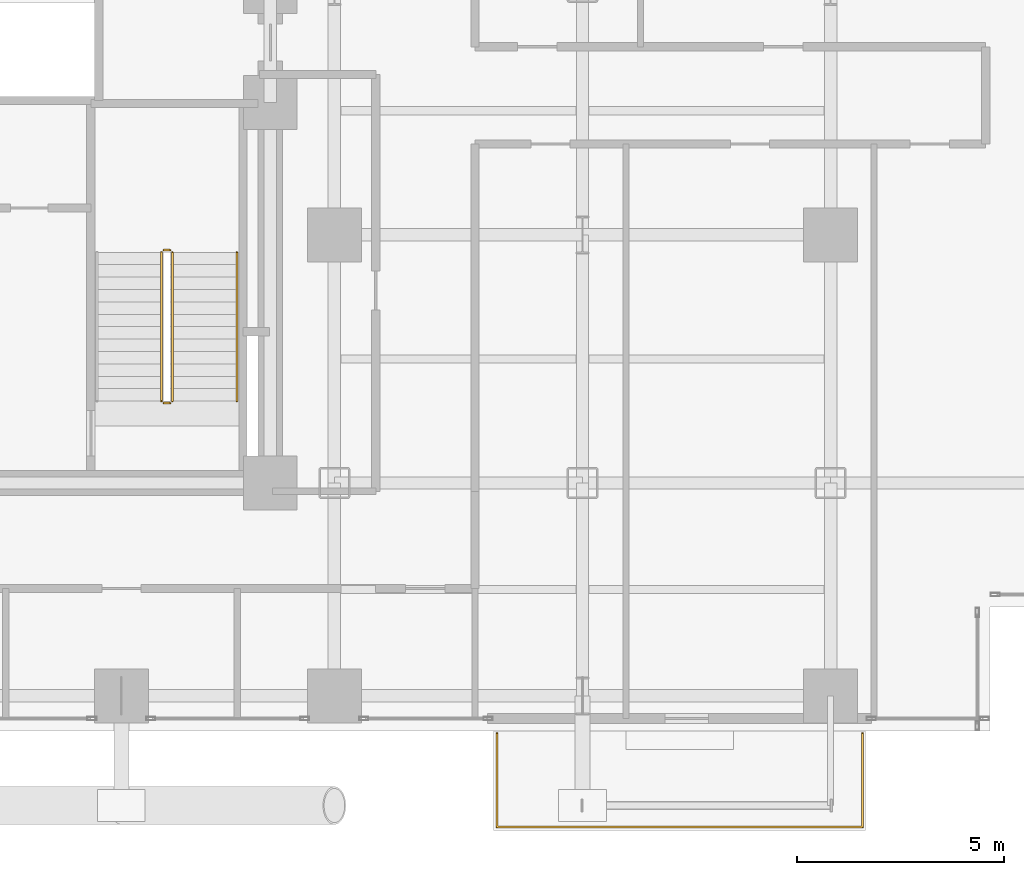
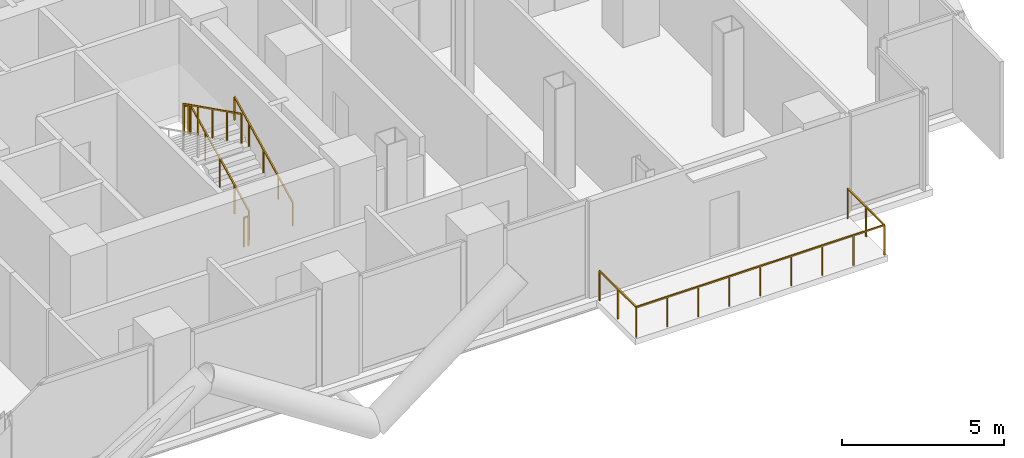
# One storey, part 26 of 27: 6 railings.
"""IFC4 building model written with IfcOpenShell, lengths in metres."""

import ifcopenshell
import ifcopenshell.guid

model = None  # the IFC model being written
_history = None  # IfcOwnerHistory: only IFC2X3 demands one
_inside = {}  # id of a spatial element -> (the spatial element, [elements in it])
_under = {}  # id of a project, library or spatial element -> (it, [spatial elements below it])
_declared = {}  # id of a project -> (the project, [libraries it declares])
_typed = {}  # id of a type object -> (the type object, [elements of that type])
_made_of = {}  # id of a material, layer set ... -> (it, [elements and type objects made of it])


def new_model(schema):
    """Start an empty IFC model of exactly this schema.

    Asked for "IFC4X3", IfcOpenShell would pick the latest addendum, in which some entities
    have other attributes; the version numbers below select the first issue.
    IFC2X3 requires an IfcOwnerHistory on every rooted entity: one is made here for all.
    """
    global model, _history
    if schema == "IFC4X3":
        model = ifcopenshell.file(schema_version=(4, 3, 0, 0))
    else:
        model = ifcopenshell.file(schema=schema)
    _inside.clear()
    _under.clear()
    _declared.clear()
    _typed.clear()
    _made_of.clear()
    _history = None
    if model.schema == "IFC2X3":
        org = make("IfcOrganization", Name="unknown")
        user = make(
            "IfcPersonAndOrganization",
            ThePerson=make("IfcPerson", FamilyName="unknown"),
            TheOrganization=org,
        )
        app = make(
            "IfcApplication",
            ApplicationDeveloper=org,
            Version="unknown",
            ApplicationFullName="unknown",
            ApplicationIdentifier="unknown",
        )
        _history = make(
            "IfcOwnerHistory",
            OwningUser=user,
            OwningApplication=app,
            ChangeAction="ADDED",
            CreationDate=0,
        )
    return model


def make(cls, **values):
    """One entity of the class cls with the attributes given. An attribute that is None is left unset."""
    return model.create_entity(
        cls, **{name: value for name, value in values.items() if value is not None}
    )


def rooted(cls, **values):
    """An entity with a GlobalId (a new one), such as an element, a storey or a relation."""
    return make(cls, GlobalId=ifcopenshell.guid.new(), OwnerHistory=_history, **values)


def si_unit(unit_type, name, prefix=None):
    """IfcSIUnit, for example si_unit("LENGTHUNIT", "METRE", prefix="MILLI")."""
    return make("IfcSIUnit", UnitType=unit_type, Prefix=prefix, Name=name)


def assignment(units):
    """IfcUnitAssignment: the units of a project."""
    return None if units is None else make("IfcUnitAssignment", Units=units)


def point(xyz):
    """IfcCartesianPoint."""
    return None if xyz is None else make("IfcCartesianPoint", Coordinates=xyz)


def direction(xyz):
    """IfcDirection."""
    return None if xyz is None else make("IfcDirection", DirectionRatios=xyz)


def frame(location, z_axis=None, x_axis=None):
    """IfcAxis2Placement3D, a coordinate frame: its origin and axes. An axis left out is left unset."""
    return make(
        "IfcAxis2Placement3D",
        Location=point(location),
        Axis=direction(z_axis),
        RefDirection=direction(x_axis),
    )


def frame_2d(location, x_axis=None):
    """IfcAxis2Placement2D, a coordinate frame in the plane: its origin and x axis."""
    return make(
        "IfcAxis2Placement2D", Location=point(location), RefDirection=direction(x_axis)
    )


def origin():
    """The frame at (0, 0, 0) with its axes left unset."""
    return frame((0.0, 0.0, 0.0))


def origin_2d():
    """The frame at (0, 0) in the plane with its x axis left unset."""
    return frame_2d((0.0, 0.0))


def place(relative_to, where):
    """IfcLocalPlacement: puts the frame where relative to a parent placement (None: the world)."""
    return make(
        "IfcLocalPlacement", PlacementRelTo=relative_to, RelativePlacement=where
    )


def context(
    kind, dimensions, precision=None, world=None, true_north=None, identifier=None
):
    """IfcGeometricRepresentationContext, for example the 3D "Model" context."""
    return make(
        "IfcGeometricRepresentationContext",
        ContextIdentifier=identifier,
        ContextType=kind,
        CoordinateSpaceDimension=dimensions,
        Precision=precision,
        WorldCoordinateSystem=world,
        TrueNorth=true_north,
    )


def subcontext(parent, identifier, kind, view, scale=None):
    """IfcGeometricRepresentationSubContext, for example "Body" below "Model"."""
    return make(
        "IfcGeometricRepresentationSubContext",
        ContextIdentifier=identifier,
        ContextType=kind,
        ParentContext=parent,
        TargetScale=scale,
        TargetView=view,
    )


def project(units=None, contexts=None):
    """IfcProject with its units and contexts."""
    return rooted(
        "IfcProject",
        Name="project",
        RepresentationContexts=contexts,
        UnitsInContext=assignment(units),
    )


def spatial(cls, under=None, at=None, **own):
    """A site, building, storey or space (cls), placed at a placement, below another one or the project."""
    s = rooted(cls, ObjectPlacement=at, **own)
    if under is not None:
        _under.setdefault(under.id(), (under, []))[1].append(s)
    return s


def profile(cls, at=None, kind="AREA", **sizes):
    """A parametric profile (cls). Its sizes go by their IFC names, for example OverallWidth=200.0."""
    return make(cls, ProfileType=kind, Position=at, **sizes)


def rectangle(**sizes):
    """IfcRectangleProfileDef."""
    return profile("IfcRectangleProfileDef", **sizes)


def extrude(swept, where, along, depth):
    """IfcExtrudedAreaSolid: the profile swept, set in the frame where, extruded along a direction by depth."""
    return make(
        "IfcExtrudedAreaSolid",
        SweptArea=swept,
        Position=where,
        ExtrudedDirection=direction(along),
        Depth=depth,
    )


def shape(context_of_items, identifier, shape_type, items):
    """IfcShapeRepresentation: the items that make up one representation, for example the "Body"."""
    return make(
        "IfcShapeRepresentation",
        ContextOfItems=context_of_items,
        RepresentationIdentifier=identifier,
        RepresentationType=shape_type,
        Items=items,
    )


def material(Name=None, Category=None):
    """IfcMaterial."""
    return make("IfcMaterial", Name=Name, Category=Category)


def made_of(thing, what):
    """Note that an element or type object is made of a material, layer set ...; save() writes the relation."""
    if what is not None:
        _made_of.setdefault(what.id(), (what, []))[1].append(thing)
    return thing


def type_object(cls, material=None, **own):
    """A type object (cls), such as IfcWallType, which elements share."""
    return made_of(rooted(cls, **own), material)


def element(
    cls,
    number,
    at=None,
    inside=None,
    cuts=None,
    type_object=None,
    material=None,
    context=None,
    identifier="Body",
    shape_type=None,
    held_by="IfcProductDefinitionShape",
    body=None,
    shapes=None,
    **own,
):
    """One element of the class cls, such as IfcWall. Its Tag is "e" and its number.

    at: its placement. inside: the storey or other place that contains it. cuts: it is an
    opening in that element (IfcRelVoidsElement). A single representation is given by context,
    identifier, shape_type and body (its items); several are given by shapes. held_by: the class
    of the entity that holds the representations. save() writes the other relations.
    """
    e = rooted(cls, Tag="e%d" % number, ObjectPlacement=at, **own)
    if body is not None:
        shapes = [shape(context, identifier, shape_type, body)]
    if shapes is not None:
        e.Representation = make(held_by, Representations=shapes)
    if inside is not None:
        _inside.setdefault(inside.id(), (inside, []))[1].append(e)
    if cuts is not None:
        rooted(
            "IfcRelVoidsElement", RelatingBuildingElement=cuts, RelatedOpeningElement=e
        )
    if type_object is not None:
        _typed.setdefault(type_object.id(), (type_object, []))[1].append(e)
    return made_of(e, material)


def aggregate(whole, parts):
    """IfcRelAggregates: a whole, such as a stair, and the parts it consists of."""
    return rooted("IfcRelAggregates", RelatingObject=whole, RelatedObjects=parts)


def save(model, path):
    """Write the relations noted so far, then the file.

    IfcRelAggregates (storeys below a building ...), IfcRelContainedInSpatialStructure (elements
    in a storey), IfcRelDefinesByType, IfcRelAssociatesMaterial and IfcRelDeclares: one each for
    every whole, place, type object, material and project.
    """
    for whole, parts in _under.values():
        aggregate(whole, parts)
    for where, things in _inside.values():
        rooted(
            "IfcRelContainedInSpatialStructure",
            RelatedElements=things,
            RelatingStructure=where,
        )
    for kind, things in _typed.values():
        rooted("IfcRelDefinesByType", RelatedObjects=things, RelatingType=kind)
    for what, things in _made_of.values():
        rooted("IfcRelAssociatesMaterial", RelatedObjects=things, RelatingMaterial=what)
    for by, libraries in _declared.values():
        rooted("IfcRelDeclares", RelatingContext=by, RelatedDefinitions=libraries)
    model.write(path)


model = new_model("IFC4")

# Units and contexts
model_context = context("Model", 3, precision=1e-05, world=origin(), true_north=direction((0.0, 1.0)))
body_context = subcontext(model_context, "Body", "Model", "MODEL_VIEW")
ifc_project = project(units=[si_unit("LENGTHUNIT", "METRE"), si_unit("AREAUNIT", "SQUARE_METRE"), si_unit("VOLUMEUNIT", "CUBIC_METRE"), si_unit("PLANEANGLEUNIT", "RADIAN"), si_unit("MASSUNIT", "GRAM", prefix="KILO"), si_unit("THERMODYNAMICTEMPERATUREUNIT", "KELVIN"), si_unit("POWERUNIT", "WATT")], contexts=[model_context])

# Site, building, storey
site_placement = place(None, origin())
site = spatial("IfcSite", under=ifc_project, at=site_placement, CompositionType="ELEMENT")
building_placement = place(site_placement, origin())
building = spatial("IfcBuilding", under=site, at=building_placement, Name="Svarakhadi Broadcast Tower", CompositionType="ELEMENT")
storey_placement = place(building_placement, frame((0.0, 0.0, 55.800048828125)))
storey = spatial("IfcBuildingStorey", under=building, at=storey_placement, Name="L12", CompositionType="ELEMENT", Elevation=55.800048828125)

# Railings
ifc_material_1 = material(Name="Laminated Structural SentryGlas Balustrade 25.5 mm", Category="glass")
railing_type_1 = type_object("IfcRailingType", Name="Guard_Balcony_GR01", PredefinedType="BALUSTRADE", material=ifc_material_1)
railing_1_placement = place(storey_placement, frame((39.080078125, -0.06005859375, 0.0)))
element("IfcRailing", 1, at=railing_1_placement, inside=storey, type_object=railing_type_1, Name="L12 South Tree Balcony Guard GR-05", PredefinedType="BALUSTRADE", context=body_context, shape_type="SweptSolid", body=[
    extrude(rectangle(XDim=0.048095703125, YDim=0.048095703125, at=origin_2d()), frame((0.0, 0.0, 1.1259765625), z_axis=(0.0, -1.0, 0.0), x_axis=(1.0, 0.0, 0.0)), (0.0, 0.0, 1.0), 2.260009765625),
    extrude(rectangle(XDim=0.048095703125, YDim=0.048095703125, at=origin_2d()), frame((0.0, -2.260009765625, 1.1259765625), z_axis=(1.0, 0.0, 0.0), x_axis=(0.0, 1.0, 0.0)), (0.0, 0.0, 1.0), 8.83984375),
    extrude(rectangle(XDim=0.048095703125, YDim=0.048095703125, at=origin_2d()), frame((8.83984375, -2.260009765625, 1.1259765625), z_axis=(0.0, 1.0, 0.0), x_axis=(-1.0, 0.0, 0.0)), (0.0, 0.0, 1.0), 2.260009765625),
    extrude(rectangle(XDim=0.0419921875, YDim=0.0419921875, at=origin_2d()), origin(), (0.0, 0.0, 1.0), 1.101806640625),
    extrude(rectangle(XDim=0.0419921875, YDim=0.0419921875, at=origin_2d()), frame((0.0, -1.1298828125, 0.0)), (0.0, 0.0, 1.0), 1.101806640625),
    extrude(rectangle(XDim=0.0419921875, YDim=0.0419921875, at=origin_2d()), frame((0.0, -2.260009765625, 0.0)), (0.0, 0.0, 1.0), 1.101806640625),
    extrude(rectangle(XDim=0.0419921875, YDim=0.0419921875, at=origin_2d()), frame((1.10498046875, -2.260009765625, 0.0)), (0.0, 0.0, 1.0), 1.101806640625),
    extrude(rectangle(XDim=0.0419921875, YDim=0.0419921875, at=origin_2d()), frame((2.2099609375, -2.260009765625, 0.0)), (0.0, 0.0, 1.0), 1.101806640625),
    extrude(rectangle(XDim=0.0419921875, YDim=0.0419921875, at=origin_2d()), frame((3.31494140625, -2.260009765625, 0.0)), (0.0, 0.0, 1.0), 1.101806640625),
    extrude(rectangle(XDim=0.0419921875, YDim=0.0419921875, at=origin_2d()), frame((4.419921875, -2.260009765625, 0.0)), (0.0, 0.0, 1.0), 1.101806640625),
    extrude(rectangle(XDim=0.0419921875, YDim=0.0419921875, at=origin_2d()), frame((5.52490234375, -2.260009765625, 0.0)), (0.0, 0.0, 1.0), 1.101806640625),
    extrude(rectangle(XDim=0.0419921875, YDim=0.0419921875, at=origin_2d()), frame((6.6298828125, -2.260009765625, 0.0)), (0.0, 0.0, 1.0), 1.101806640625),
    extrude(rectangle(XDim=0.0419921875, YDim=0.0419921875, at=origin_2d()), frame((7.73486328125, -2.260009765625, 0.0)), (0.0, 0.0, 1.0), 1.101806640625),
    extrude(rectangle(XDim=0.0419921875, YDim=0.0419921875, at=origin_2d()), frame((8.83984375, -2.260009765625, 0.0)), (0.0, 0.0, 1.0), 1.101806640625),
    extrude(rectangle(XDim=0.0419921875, YDim=0.0419921875, at=origin_2d()), frame((8.83984375, -1.1298828125, 0.0)), (0.0, 0.0, 1.0), 1.101806640625),
    extrude(rectangle(XDim=0.0419921875, YDim=0.0419921875, at=origin_2d()), frame((8.83984375, 0.0, 0.0)), (0.0, 0.0, 1.0), 1.101806640625),
])
ifc_material_2 = material(Name="Anodised Bronze Aluminium AA 6063-T6", Category="aluminium")
railing_type_2 = type_object("IfcRailingType", Name="Guard_Stair_GR01", PredefinedType="GUARDRAIL", material=ifc_material_2)
railing_2_placement = place(storey_placement, frame((31.22998046875, 7.97998046875, 0.14990234375)))
element("IfcRailing", 2, at=railing_2_placement, inside=storey, type_object=railing_type_2, Name="L12 ST-02 stair guard 1", PredefinedType="GUARDRAIL", context=body_context, shape_type="SweptSolid", body=[
    extrude(rectangle(XDim=0.048095703125, YDim=0.048095703125, at=origin_2d()), frame((0.0, 0.0, 1.09619140625), z_axis=(0.0, 0.894427191, 0.4472135955), x_axis=(-1.0, 0.0, 0.0)), (0.0, 0.0, 1.0), 4.025146484375),
    extrude(rectangle(XDim=0.0419921875, YDim=0.0419921875, at=origin_2d()), origin(), (0.0, 0.0, 1.0), 1.072021484375),
    extrude(rectangle(XDim=0.0419921875, YDim=0.0419921875, at=origin_2d()), frame((0.0, 0.89990234375, 0.449951171875)), (0.0, 0.0, 1.0), 1.072021484375),
    extrude(rectangle(XDim=0.0419921875, YDim=0.0419921875, at=origin_2d()), frame((0.0, 1.800048828125, 0.89990234375)), (0.0, 0.0, 1.0), 1.072021484375),
    extrude(rectangle(XDim=0.0419921875, YDim=0.0419921875, at=origin_2d()), frame((0.0, 2.7001953125, 1.35009765625)), (0.0, 0.0, 1.0), 1.072021484375),
    extrude(rectangle(XDim=0.0419921875, YDim=0.0419921875, at=origin_2d()), frame((0.0, 3.60009765625, 1.800048828125)), (0.0, 0.0, 1.0), 1.072021484375),
])
railing_3_placement = place(storey_placement, frame((31.179931640625, 11.6298828125, 1.949951171875)))
element("IfcRailing", 3, at=railing_3_placement, inside=storey, type_object=railing_type_2, Name="L12 ST-02 stair guard 2", PredefinedType="GUARDRAIL", context=body_context, shape_type="SweptSolid", body=[
    extrude(rectangle(XDim=0.048095703125, YDim=0.048095703125, at=origin_2d()), frame((0.0, 0.0, 1.09619140625), z_axis=(-1.0, 0.0, 0.0), x_axis=(0.0, -1.0, 0.0)), (0.0, 0.0, 1.0), 0.159912109375),
    extrude(rectangle(XDim=0.0419921875, YDim=0.0419921875, at=origin_2d()), origin(), (0.0, 0.0, 1.0), 1.072021484375),
    extrude(rectangle(XDim=0.0419921875, YDim=0.0419921875, at=origin_2d()), frame((-0.159912109375, 0.0, 0.0)), (0.0, 0.0, 1.0), 1.072021484375),
])
railing_4_placement = place(storey_placement, frame((30.969970703125, 11.580078125, 2.099853515625)))
element("IfcRailing", 4, at=railing_4_placement, inside=storey, type_object=railing_type_2, Name="L12 ST-02 stair guard 3", PredefinedType="GUARDRAIL", context=body_context, shape_type="SweptSolid", body=[
    extrude(rectangle(XDim=0.048095703125, YDim=0.048095703125, at=origin_2d()), frame((0.0, 0.0, 1.09619140625), z_axis=(0.0, -0.894427191, 0.4472135955), x_axis=(1.0, 0.0, 0.0)), (0.0, 0.0, 1.0), 4.025146484375),
    extrude(rectangle(XDim=0.0419921875, YDim=0.0419921875, at=origin_2d()), origin(), (0.0, 0.0, 1.0), 1.072021484375),
    extrude(rectangle(XDim=0.0419921875, YDim=0.0419921875, at=origin_2d()), frame((0.0, -0.89990234375, 0.449951171875)), (0.0, 0.0, 1.0), 1.072021484375),
    extrude(rectangle(XDim=0.0419921875, YDim=0.0419921875, at=origin_2d()), frame((0.0, -1.800048828125, 0.89990234375)), (0.0, 0.0, 1.0), 1.072021484375),
    extrude(rectangle(XDim=0.0419921875, YDim=0.0419921875, at=origin_2d()), frame((0.0, -2.7001953125, 1.35009765625)), (0.0, 0.0, 1.0), 1.072021484375),
    extrude(rectangle(XDim=0.0419921875, YDim=0.0419921875, at=origin_2d()), frame((0.0, -3.60009765625, 1.800048828125)), (0.0, 0.0, 1.0), 1.072021484375),
])
railing_5_placement = place(storey_placement, frame((31.179931640625, 7.929931640625, 0.0)))
element("IfcRailing", 5, at=railing_5_placement, inside=storey, type_object=railing_type_2, Name="L12 ST-02 stair guard 4", PredefinedType="GUARDRAIL", context=body_context, shape_type="SweptSolid", body=[
    extrude(rectangle(XDim=0.048095703125, YDim=0.048095703125, at=origin_2d()), frame((0.0, 0.0, 1.09619140625), z_axis=(-1.0, 0.0, 0.0), x_axis=(0.0, -1.0, 0.0)), (0.0, 0.0, 1.0), 0.159912109375),
    extrude(rectangle(XDim=0.0419921875, YDim=0.0419921875, at=origin_2d()), origin(), (0.0, 0.0, 1.0), 1.072021484375),
    extrude(rectangle(XDim=0.0419921875, YDim=0.0419921875, at=origin_2d()), frame((-0.159912109375, 0.0, 0.0)), (0.0, 0.0, 1.0), 1.072021484375),
])
railing_type_3 = type_object("IfcRailingType", Name="Handrail_Stair_HR01", PredefinedType="HANDRAIL", material=ifc_material_2)
railing_6_placement = place(storey_placement, frame((32.7900390625, 7.97998046875, 0.14990234375)))
element("IfcRailing", 6, at=railing_6_placement, inside=storey, type_object=railing_type_3, Name="L12 ST-02 stair handrail 1", PredefinedType="HANDRAIL", context=body_context, shape_type="SweptSolid", body=[
    extrude(rectangle(XDim=0.048095703125, YDim=0.048095703125, at=origin_2d()), frame((0.0, 0.0, 0.8759765625), z_axis=(0.0, 0.894427191, 0.4472135955), x_axis=(-1.0, 0.0, 0.0)), (0.0, 0.0, 1.0), 4.025146484375),
    extrude(rectangle(XDim=0.0419921875, YDim=0.0419921875, at=origin_2d()), origin(), (0.0, 0.0, 1.0), 0.851806640625),
    extrude(rectangle(XDim=0.0419921875, YDim=0.0419921875, at=origin_2d()), frame((0.0, 0.89990234375, 0.449951171875)), (0.0, 0.0, 1.0), 0.851806640625),
    extrude(rectangle(XDim=0.0419921875, YDim=0.0419921875, at=origin_2d()), frame((0.0, 1.800048828125, 0.89990234375)), (0.0, 0.0, 1.0), 0.851806640625),
    extrude(rectangle(XDim=0.0419921875, YDim=0.0419921875, at=origin_2d()), frame((0.0, 2.7001953125, 1.35009765625)), (0.0, 0.0, 1.0), 0.851806640625),
    extrude(rectangle(XDim=0.0419921875, YDim=0.0419921875, at=origin_2d()), frame((0.0, 3.60009765625, 1.800048828125)), (0.0, 0.0, 1.0), 0.851806640625),
])

save(model, "model.ifc")
